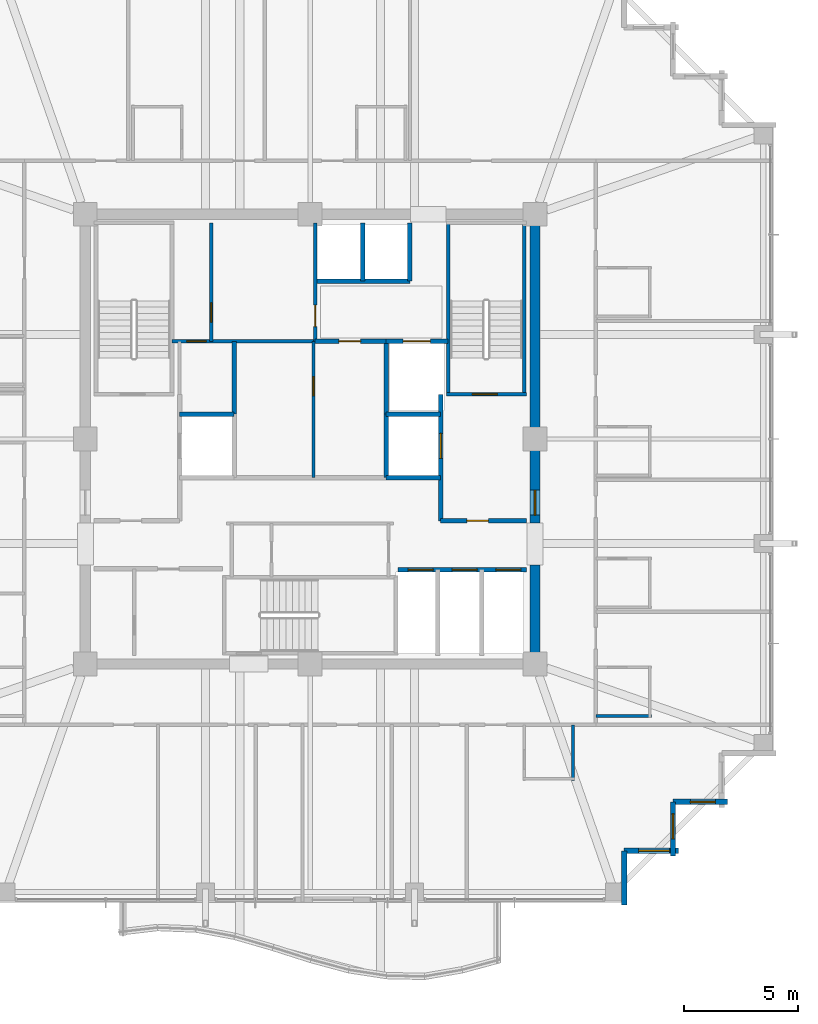
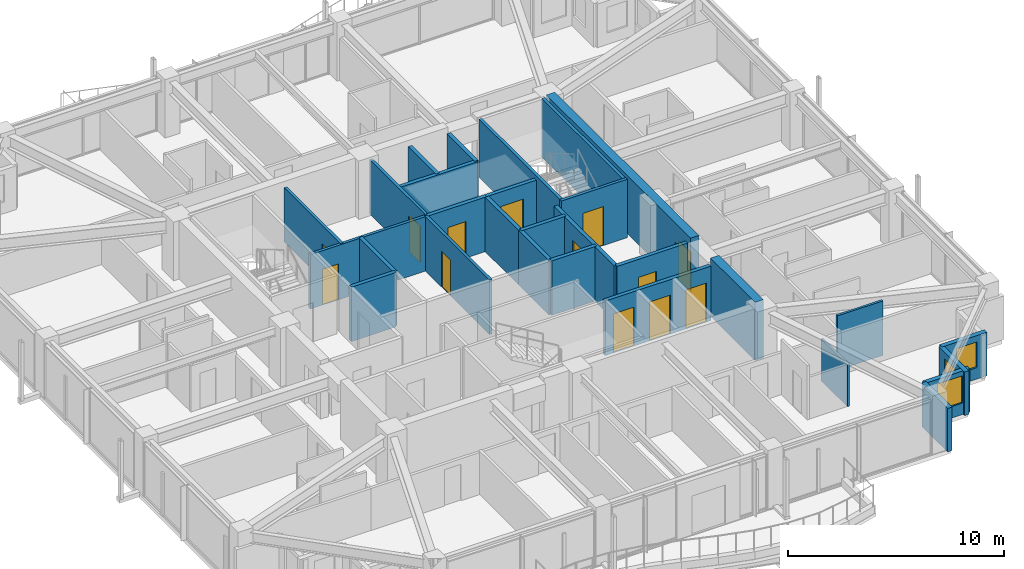
# One storey, part 33 of 38: 29 walls, 13 doors, 3 windows, 16 openings.
"""IFC4 building model written with IfcOpenShell, lengths in metres."""

from ifc_helpers import new_model, si_unit, direction, frame, frame_2d, origin, place, context, subcontext, project, spatial, rectangle, extrude, material, layer, layer_set, type_object, element, fill, save


model = new_model("IFC4")

# Units and contexts
model_context = context("Model", 3, precision=1e-05, world=origin(), true_north=direction((0.0, 1.0)))
body_context = subcontext(model_context, "Body", "Model", "MODEL_VIEW")
ifc_project = project(units=[si_unit("LENGTHUNIT", "METRE"), si_unit("AREAUNIT", "SQUARE_METRE"), si_unit("VOLUMEUNIT", "CUBIC_METRE"), si_unit("PLANEANGLEUNIT", "RADIAN"), si_unit("MASSUNIT", "GRAM", prefix="KILO")], contexts=[model_context])

# Site, building, storey
site_placement = place(None, origin())
site = spatial("IfcSite", under=ifc_project, at=site_placement, CompositionType="ELEMENT")
building_placement = place(site_placement, origin())
building = spatial("IfcBuilding", under=site, at=building_placement, Name="Kolvaren Belvedere", CompositionType="ELEMENT")
storey_placement = place(building_placement, frame((0.0, 0.0, 213.0)))
storey = spatial("IfcBuildingStorey", under=building, at=storey_placement, Name="L62", CompositionType="ELEMENT", Elevation=213.0)

# Wall
ifc_material_1 = material(Name="Concrete C50/60", Category="concrete")
ifc_layer_1 = layer(ifc_material_1, 0.449951171875)
ifc_layer_set_1 = layer_set([ifc_layer_1], Name="Concrete C50/60")
wall_type_1 = type_object("IfcWallType", Name="CW-CORE-450", PredefinedType="SHEAR", material=ifc_layer_set_1)
wall_1_placement = place(storey_placement, frame((9.89990234375, -9.675048828125, 0.0), z_axis=(0.0, 0.0, 1.0), x_axis=(0.0, 1.0, 0.0)))
element("IfcWall", 1, at=wall_1_placement, inside=storey, type_object=wall_type_1, Name="L62 East Core Shear Wall 1", PredefinedType="SHEAR", context=body_context, shape_type="SweptSolid", body=[
    extrude(rectangle(XDim=4.125, YDim=0.449951171875, at=frame_2d((2.0625, 0.0))), origin(), (0.0, 0.0, 1.0), 3.300048828125),
])

# Wall, opening, door
wall_2_placement = place(storey_placement, frame((9.89990234375, -3.699951171875, 0.0), z_axis=(0.0, 0.0, 1.0), x_axis=(0.0, 1.0, 0.0)))
wall_2 = element("IfcWall", 2, at=wall_2_placement, inside=storey, type_object=wall_type_1, Name="L62 East Core Shear Wall 2", PredefinedType="SHEAR", context=body_context, shape_type="SweptSolid", body=[
    extrude(rectangle(XDim=13.375, YDim=0.449951171875, at=frame_2d((6.6875, 0.0))), origin(), (0.0, 0.0, 1.0), 3.300048828125),
])
opening_1_placement = place(wall_2_placement, frame((0.35009765625, 0.0, 0.0)))
opening_1 = element("IfcOpeningElement", 3, at=opening_1_placement, cuts=wall_2, Name="Opening D-FD90", PredefinedType="OPENING", context=body_context, shape_type="SweptSolid", body=[
    extrude(rectangle(XDim=1.10009765625, YDim=2.199951171875, at=frame_2d((0.550048828125, 1.10009765625))), frame((0.0, 0.23486328125, 0.0), z_axis=(0.0, -1.0, 0.0), x_axis=(1.0, 0.0, 0.0)), (0.0, 0.0, 1.0), 0.469970703125),
])
ifc_material_2 = material(Name="Painted hollow stainless steel", Category="steel")
door_type_1 = type_object("IfcDoorType", Name="DR-FD90-1100", OperationType="NOTDEFINED", PredefinedType="DOOR", material=ifc_material_2)
door_1_placement = place(opening_1_placement, origin())
door_1 = element("IfcDoor", 4, at=door_1_placement, inside=storey, type_object=door_type_1, Name="L62 East Firefighting Lobby Fire Door", OperationType="SINGLE_SWING_RIGHT", OverallHeight=2.199951171875, OverallWidth=1.10009765625, PredefinedType="DOOR", context=body_context, shape_type="SweptSolid", body=[
    extrude(rectangle(XDim=1.10009765625, YDim=2.199951171875, at=frame_2d((0.550048828125, 1.10009765625))), frame((0.0, 0.02490234375, 0.0), z_axis=(0.0, -1.0, 0.0), x_axis=(1.0, 0.0, 0.0)), (0.0, 0.0, 1.0), 0.050048828125),
])
fill(opening_1, door_1)

ifc_material_3 = material(Name="Concrete C50/60", Category="concrete")
ifc_layer_2 = layer(ifc_material_3, 0.159912109375)
ifc_layer_set_2 = layer_set([ifc_layer_2], Name="Concrete C50/60")
wall_type_2 = type_object("IfcWallType", Name="CW-STAIR-160", PredefinedType="SHEAR", material=ifc_layer_set_2)
wall_3_placement = place(storey_placement, frame((6.0, 1.969970703125, 0.0), z_axis=(0.0, 0.0, 1.0), x_axis=(1.0, 0.0, 0.0)))
wall_3 = element("IfcWall", 5, at=wall_3_placement, inside=storey, type_object=wall_type_2, Name="L62 Stair ST-2 South Shear Wall", PredefinedType="SHEAR", context=body_context, shape_type="SweptSolid", body=[
    extrude(rectangle(XDim=3.52001953125, YDim=0.159912109375, at=frame_2d((1.760009765625, 0.0))), origin(), (0.0, 0.0, 1.0), 3.300048828125),
])
opening_2_placement = place(wall_3_placement, frame((1.14990234375, 0.0, 0.0)))
opening_2 = element("IfcOpeningElement", 6, at=opening_2_placement, cuts=wall_3, Name="Opening D-FD90", PredefinedType="OPENING", context=body_context, shape_type="SweptSolid", body=[
    extrude(rectangle(XDim=1.10009765625, YDim=2.199951171875, at=frame_2d((0.550048828125, 1.10009765625))), frame((0.0, 0.08984375, 0.0), z_axis=(0.0, -1.0, 0.0), x_axis=(1.0, 0.0, 0.0)), (0.0, 0.0, 1.0), 0.179931640625),
])
door_2_placement = place(opening_2_placement, origin())
door_2 = element("IfcDoor", 7, at=door_2_placement, inside=storey, type_object=door_type_1, Name="L62 Stair ST-2 Fire Door", OperationType="SINGLE_SWING_RIGHT", OverallHeight=2.199951171875, OverallWidth=1.10009765625, PredefinedType="DOOR", context=body_context, shape_type="SweptSolid", body=[
    extrude(rectangle(XDim=1.10009765625, YDim=2.199951171875, at=frame_2d((0.550048828125, 1.10009765625))), frame((0.0, 0.02490234375, 0.0), z_axis=(0.0, -1.0, 0.0), x_axis=(1.0, 0.0, 0.0)), (0.0, 0.0, 1.0), 0.050048828125),
])
fill(opening_2, door_2)

# Walls
for number, where, z_axis, x_axis, name in (
    (8, (6.080078125, 1.969970703125, 0.0), (0.0, 0.0, 1.0), (0.0, 1.0, 0.0), "L62 Stair ST-2 West Shear Wall"),
    (9, (9.429931640625, 1.969970703125, 0.0), (0.0, 0.0, 1.0), (0.0, 1.0, 0.0), "L62 Stair ST-2 East Shear Wall"),
):
    element("IfcWall", number, at=place(storey_placement, frame(where, z_axis=z_axis, x_axis=x_axis)), inside=storey, type_object=wall_type_2, Name=name, PredefinedType="SHEAR", context=body_context, shape_type="SweptSolid", body=[
        extrude(rectangle(XDim=7.56005859375, YDim=0.159912109375, at=frame_2d((3.780029296875, 0.0))), origin(), (0.0, 0.0, 1.0), 3.300048828125),
    ])
ifc_material_4 = material(Name="Insulated pale-metal facade wall assembly", Category="aluminium")
ifc_layer_3 = layer(ifc_material_4, 0.239990234375)
ifc_layer_set_3 = layer_set([ifc_layer_3], Name="Insulated pale-metal facade wall assembly")
wall_type_3 = type_object("IfcWallType", Name="WL-EXT-240", PredefinedType="STANDARD", material=ifc_layer_set_3)
wall_4_placement = place(storey_placement, frame((13.830078125, -18.1298828125, 0.0), z_axis=(0.0, 0.0, 1.0), x_axis=(0.0, -1.0, 0.0)))
element("IfcWall", 10, at=wall_4_placement, inside=storey, type_object=wall_type_3, Name="L62 Serrated Corner Facade Wall 2", PredefinedType="STANDARD", context=body_context, shape_type="SweptSolid", body=[
    extrude(rectangle(XDim=2.39013671875, YDim=0.239990234375, at=frame_2d((1.195068359375, 0.0))), origin(), (0.0, 0.0, 1.0), 2.462890625),
])

# Wall, opening, window
wall_5_placement = place(storey_placement, frame((16.219970703125, -18.1298828125, 0.0), z_axis=(0.0, 0.0, 1.0), x_axis=(-1.0, 0.0, 0.0)))
wall_5 = element("IfcWall", 11, at=wall_5_placement, inside=storey, type_object=wall_type_3, Name="L62 Serrated Corner Facade Wall 3", PredefinedType="STANDARD", context=body_context, shape_type="SweptSolid", body=[
    extrude(rectangle(XDim=2.389892578125, YDim=0.239990234375, at=frame_2d((1.19482421875, 0.0))), origin(), (0.0, 0.0, 1.0), 2.462890625),
])
opening_3_placement = place(wall_5_placement, frame((0.39990234375, 0.0, 0.64990234375)))
opening_3 = element("IfcOpeningElement", 12, at=opening_3_placement, cuts=wall_5, Name="Opening W-1350", PredefinedType="OPENING", context=body_context, shape_type="SweptSolid", body=[
    extrude(rectangle(XDim=1.35009765625, YDim=1.550048828125, at=frame_2d((0.675048828125, 0.77490234375))), frame((0.0, 0.1298828125, 0.0), z_axis=(0.0, -1.0, 0.0), x_axis=(1.0, 0.0, 0.0)), (0.0, 0.0, 1.0), 0.260009765625),
])
ifc_material_5 = material(Name="Low-iron triple insulated glass", Category="glass")
window_type_1 = type_object("IfcWindowType", Name="WN-CORN-1350", PartitioningType="SINGLE_PANEL", PredefinedType="WINDOW", material=ifc_material_5)
window_1_placement = place(opening_3_placement, origin())
window_1 = element("IfcWindow", 13, at=window_1_placement, inside=storey, type_object=window_type_1, Name="L62 Serrated Corner Vision Window 3", OverallHeight=1.550048828125, OverallWidth=1.35009765625, PartitioningType="SINGLE_PANEL", PredefinedType="WINDOW", context=body_context, shape_type="SweptSolid", body=[
    extrude(rectangle(XDim=1.35009765625, YDim=1.550048828125, at=frame_2d((0.675048828125, 0.77490234375))), frame((0.0, 0.030029296875, 0.0), z_axis=(0.0, -1.0, 0.0), x_axis=(1.0, 0.0, 0.0)), (0.0, 0.0, 1.0), 0.06005859375),
])
fill(opening_3, window_1)

wall_6_placement = place(storey_placement, frame((15.97998046875, -15.97998046875, 0.0), z_axis=(0.0, 0.0, 1.0), x_axis=(0.0, -1.0, 0.0)))
wall_6 = element("IfcWall", 14, at=wall_6_placement, inside=storey, type_object=wall_type_3, Name="L62 Serrated Corner Facade Wall 4", PredefinedType="STANDARD", context=body_context, shape_type="SweptSolid", body=[
    extrude(rectangle(XDim=2.39013671875, YDim=0.239990234375, at=frame_2d((1.195068359375, 0.0))), origin(), (0.0, 0.0, 1.0), 2.462890625),
])
opening_4_placement = place(wall_6_placement, frame((0.52490234375, 0.0, 0.64990234375)))
opening_4 = element("IfcOpeningElement", 15, at=opening_4_placement, cuts=wall_6, Name="Opening W-1100", PredefinedType="OPENING", context=body_context, shape_type="SweptSolid", body=[
    extrude(rectangle(XDim=1.10009765625, YDim=1.449951171875, at=frame_2d((0.550048828125, 0.72509765625))), frame((0.0, 0.1298828125, 0.0), z_axis=(0.0, -1.0, 0.0), x_axis=(1.0, 0.0, 0.0)), (0.0, 0.0, 1.0), 0.260009765625),
])
ifc_material_6 = material(Name="Low-iron triple insulated glass", Category="glass")
window_type_2 = type_object("IfcWindowType", Name="WN-CORN-1100", PartitioningType="SINGLE_PANEL", PredefinedType="WINDOW", material=ifc_material_6)
window_2_placement = place(opening_4_placement, origin())
window_2 = element("IfcWindow", 16, at=window_2_placement, inside=storey, type_object=window_type_2, Name="L62 Serrated Corner Vision Window 4", OverallHeight=1.449951171875, OverallWidth=1.10009765625, PartitioningType="SINGLE_PANEL", PredefinedType="WINDOW", context=body_context, shape_type="SweptSolid", body=[
    extrude(rectangle(XDim=1.10009765625, YDim=1.449951171875, at=frame_2d((0.550048828125, 0.72509765625))), frame((0.0, 0.030029296875, 0.0), z_axis=(0.0, -1.0, 0.0), x_axis=(1.0, 0.0, 0.0)), (0.0, 0.0, 1.0), 0.06005859375),
])
fill(opening_4, window_2)

wall_7_placement = place(storey_placement, frame((18.3701171875, -15.97998046875, 0.0), z_axis=(0.0, 0.0, 1.0), x_axis=(-1.0, 0.0, 0.0)))
wall_7 = element("IfcWall", 17, at=wall_7_placement, inside=storey, type_object=wall_type_3, Name="L62 Serrated Corner Facade Wall 5", PredefinedType="STANDARD", context=body_context, shape_type="SweptSolid", body=[
    extrude(rectangle(XDim=2.39013671875, YDim=0.239990234375, at=frame_2d((1.195068359375, 0.0))), origin(), (0.0, 0.0, 1.0), 2.462890625),
])
opening_5_placement = place(wall_7_placement, frame((0.52490234375, 0.0, 0.64990234375)))
opening_5 = element("IfcOpeningElement", 18, at=opening_5_placement, cuts=wall_7, Name="Opening W-1100", PredefinedType="OPENING", context=body_context, shape_type="SweptSolid", body=[
    extrude(rectangle(XDim=1.10009765625, YDim=1.449951171875, at=frame_2d((0.550048828125, 0.72509765625))), frame((0.0, 0.1298828125, 0.0), z_axis=(0.0, -1.0, 0.0), x_axis=(1.0, 0.0, 0.0)), (0.0, 0.0, 1.0), 0.260009765625),
])
window_3_placement = place(opening_5_placement, origin())
window_3 = element("IfcWindow", 19, at=window_3_placement, inside=storey, type_object=window_type_2, Name="L62 Serrated Corner Vision Window 5", OverallHeight=1.449951171875, OverallWidth=1.10009765625, PartitioningType="SINGLE_PANEL", PredefinedType="WINDOW", context=body_context, shape_type="SweptSolid", body=[
    extrude(rectangle(XDim=1.10009765625, YDim=1.449951171875, at=frame_2d((0.550048828125, 0.72509765625))), frame((0.0, 0.030029296875, 0.0), z_axis=(0.0, -1.0, 0.0), x_axis=(1.0, 0.0, 0.0)), (0.0, 0.0, 1.0), 0.06005859375),
])
fill(opening_5, window_3)

# Wall, opening, door
ifc_material_7 = material(Name="Gypsum acoustic partition assembly", Category="gypsum")
ifc_layer_4 = layer(ifc_material_7, 0.14990234375)
ifc_layer_set_4 = layer_set([ifc_layer_4], Name="Gypsum acoustic partition assembly")
wall_type_4 = type_object("IfcWallType", Name="WL-PART-150", PredefinedType="PARTITIONING", material=ifc_layer_set_4)
wall_8_placement = place(storey_placement, frame((-6.080078125, 4.300048828125, 0.0), z_axis=(0.0, 0.0, 1.0), x_axis=(1.0, 0.0, 0.0)))
wall_8 = element("IfcWall", 20, at=wall_8_placement, inside=storey, type_object=wall_type_4, Name="L62 Reclaimed Salon South Wall", PredefinedType="PARTITIONING", context=body_context, shape_type="SweptSolid", body=[
    extrude(rectangle(XDim=6.300048828125, YDim=0.14990234375, at=frame_2d((3.14990234375, 0.0))), origin(), (0.0, 0.0, 1.0), 3.080078125),
])
opening_6_placement = place(wall_8_placement, frame((0.64990234375, 0.0, 0.0)))
opening_6 = element("IfcOpeningElement", 21, at=opening_6_placement, cuts=wall_8, Name="Opening D-INT85", PredefinedType="OPENING", context=body_context, shape_type="SweptSolid", body=[
    extrude(rectangle(XDim=0.85009765625, YDim=2.030029296875, at=frame_2d((0.425048828125, 1.01513671875))), frame((0.0, 0.0849609375, 0.0), z_axis=(0.0, -1.0, 0.0), x_axis=(1.0, 0.0, 0.0)), (0.0, 0.0, 1.0), 0.169921875),
])
ifc_material_8 = material(Name="Stained Pacific white oak", Category="timber")
door_type_2 = type_object("IfcDoorType", Name="DR-INT-850", OperationType="NOTDEFINED", PredefinedType="DOOR", material=ifc_material_8)
door_3_placement = place(opening_6_placement, origin())
door_3 = element("IfcDoor", 22, at=door_3_placement, inside=storey, type_object=door_type_2, Name="L62 NW Core Store Door", OperationType="SINGLE_SWING_RIGHT", OverallHeight=2.030029296875, OverallWidth=0.85009765625, PredefinedType="DOOR", context=body_context, shape_type="SweptSolid", body=[
    extrude(rectangle(XDim=0.85009765625, YDim=2.030029296875, at=frame_2d((0.425048828125, 1.01513671875))), frame((0.0, 0.02490234375, 0.0), z_axis=(0.0, -1.0, 0.0), x_axis=(1.0, 0.0, 0.0)), (0.0, 0.0, 1.0), 0.050048828125),
])
fill(opening_6, door_3)

wall_9_placement = place(storey_placement, frame((0.219970703125, 4.300048828125, 0.0), z_axis=(0.0, 0.0, 1.0), x_axis=(0.0, 1.0, 0.0)))
wall_9 = element("IfcWall", 23, at=wall_9_placement, inside=storey, type_object=wall_type_4, Name="L62 Reclaimed Salon East Wall", PredefinedType="PARTITIONING", context=body_context, shape_type="SweptSolid", body=[
    extrude(rectangle(XDim=5.219970703125, YDim=0.14990234375, at=frame_2d((2.60986328125, 0.0))), origin(), (0.0, 0.0, 1.0), 3.080078125),
])
opening_7_placement = place(wall_9_placement, frame((0.64990234375, 0.0, 0.0)))
opening_7 = element("IfcOpeningElement", 24, at=opening_7_placement, cuts=wall_9, Name="Opening D-INT95", PredefinedType="OPENING", context=body_context, shape_type="SweptSolid", body=[
    extrude(rectangle(XDim=0.949951171875, YDim=2.06005859375, at=frame_2d((0.47509765625, 1.030029296875))), frame((0.0, 0.0849609375, 0.0), z_axis=(0.0, -1.0, 0.0), x_axis=(1.0, 0.0, 0.0)), (0.0, 0.0, 1.0), 0.169921875),
])
ifc_material_9 = material(Name="Stained Pacific white oak", Category="timber")
door_type_3 = type_object("IfcDoorType", Name="DR-INT-950", OperationType="NOTDEFINED", PredefinedType="DOOR", material=ifc_material_9)
door_4_placement = place(opening_7_placement, origin())
door_4 = element("IfcDoor", 25, at=door_4_placement, inside=storey, type_object=door_type_3, Name="L62 Art Salon Door", OperationType="SINGLE_SWING_LEFT", OverallHeight=2.06005859375, OverallWidth=0.949951171875, PredefinedType="DOOR", context=body_context, shape_type="SweptSolid", body=[
    extrude(rectangle(XDim=0.949951171875, YDim=2.06005859375, at=frame_2d((0.47509765625, 1.030029296875))), frame((0.0, 0.02490234375, 0.0), z_axis=(0.0, -1.0, 0.0), x_axis=(1.0, 0.0, 0.0)), (0.0, 0.0, 1.0), 0.050048828125),
])
fill(opening_7, door_4)

wall_10_placement = place(storey_placement, frame((-4.35009765625, 4.300048828125, 0.0), z_axis=(0.0, 0.0, 1.0), x_axis=(0.0, 1.0, 0.0)))
wall_10 = element("IfcWall", 26, at=wall_10_placement, inside=storey, type_object=wall_type_4, Name="L62 Reclaimed Archive Divider", PredefinedType="PARTITIONING", context=body_context, shape_type="SweptSolid", body=[
    extrude(rectangle(XDim=5.219970703125, YDim=0.14990234375, at=frame_2d((2.60986328125, 0.0))), origin(), (0.0, 0.0, 1.0), 3.080078125),
])
opening_8_placement = place(wall_10_placement, frame((0.85009765625, 0.0, 0.0)))
opening_8 = element("IfcOpeningElement", 27, at=opening_8_placement, cuts=wall_10, Name="Opening D-INT85", PredefinedType="OPENING", context=body_context, shape_type="SweptSolid", body=[
    extrude(rectangle(XDim=0.85009765625, YDim=2.030029296875, at=frame_2d((0.425048828125, 1.01513671875))), frame((0.0, 0.0849609375, 0.0), z_axis=(0.0, -1.0, 0.0), x_axis=(1.0, 0.0, 0.0)), (0.0, 0.0, 1.0), 0.169921875),
])
door_5_placement = place(opening_8_placement, origin())
door_5 = element("IfcDoor", 28, at=door_5_placement, inside=storey, type_object=door_type_2, Name="L62 Archive Store Door", OperationType="SINGLE_SWING_RIGHT", OverallHeight=2.030029296875, OverallWidth=0.85009765625, PredefinedType="DOOR", context=body_context, shape_type="SweptSolid", body=[
    extrude(rectangle(XDim=0.85009765625, YDim=2.030029296875, at=frame_2d((0.425048828125, 1.01513671875))), frame((0.0, 0.02490234375, 0.0), z_axis=(0.0, -1.0, 0.0), x_axis=(1.0, 0.0, 0.0)), (0.0, 0.0, 1.0), 0.050048828125),
])
fill(opening_8, door_5)

wall_11_placement = place(storey_placement, frame((0.14990234375, -1.699951171875, 0.0), z_axis=(0.0, 0.0, 1.0), x_axis=(0.0, 1.0, 0.0)))
wall_11 = element("IfcWall", 29, at=wall_11_placement, inside=storey, type_object=wall_type_4, Name="L62 Central Core V-Divider", PredefinedType="PARTITIONING", context=body_context, shape_type="SweptSolid", body=[
    extrude(rectangle(XDim=6.0, YDim=0.14990234375, at=frame_2d((3.0, 0.0))), origin(), (0.0, 0.0, 1.0), 3.080078125),
])
opening_9_placement = place(wall_11_placement, frame((3.60009765625, 0.0, 0.0)))
opening_9 = element("IfcOpeningElement", 30, at=opening_9_placement, cuts=wall_11, Name="Opening D-INT85", PredefinedType="OPENING", context=body_context, shape_type="SweptSolid", body=[
    extrude(rectangle(XDim=0.85009765625, YDim=2.030029296875, at=frame_2d((0.425048828125, 1.01513671875))), frame((0.0, 0.0849609375, 0.0), z_axis=(0.0, -1.0, 0.0), x_axis=(1.0, 0.0, 0.0)), (0.0, 0.0, 1.0), 0.169921875),
])
door_6_placement = place(opening_9_placement, origin())
door_6 = element("IfcDoor", 31, at=door_6_placement, inside=storey, type_object=door_type_2, Name="L62 Central Linen Door", OperationType="SINGLE_SWING_RIGHT", OverallHeight=2.030029296875, OverallWidth=0.85009765625, PredefinedType="DOOR", context=body_context, shape_type="SweptSolid", body=[
    extrude(rectangle(XDim=0.85009765625, YDim=2.030029296875, at=frame_2d((0.425048828125, 1.01513671875))), frame((0.0, 0.02490234375, 0.0), z_axis=(0.0, -1.0, 0.0), x_axis=(1.0, 0.0, 0.0)), (0.0, 0.0, 1.0), 0.050048828125),
])
fill(opening_9, door_6)

# Wall
ifc_material_10 = material(Name="Concrete C50/60", Category="concrete")
ifc_layer_5 = layer(ifc_material_10, 0.199951171875)
ifc_layer_set_5 = layer_set([ifc_layer_5], Name="Concrete C50/60")
wall_type_5 = type_object("IfcWallType", Name="WL-SHAFT-200", PredefinedType="SOLIDWALL", material=ifc_layer_set_5)
wall_12_placement = place(storey_placement, frame((-5.75, 1.10009765625, 0.0), z_axis=(0.0, 0.0, 1.0), x_axis=(1.0, 0.0, 0.0)))
element("IfcWall", 32, at=wall_12_placement, inside=storey, type_object=wall_type_5, Name="L62 FSAE FS1 North Wall", PredefinedType="SOLIDWALL", context=body_context, shape_type="SweptSolid", body=[
    extrude(rectangle(XDim=2.39990234375, YDim=0.199951171875, at=frame_2d((1.199951171875, 0.0))), origin(), (0.0, 0.0, 1.0), 3.080078125),
])

# Wall, opening, door
wall_13_placement = place(storey_placement, frame((5.75, -3.60009765625, 0.0), z_axis=(0.0, 0.0, 1.0), x_axis=(1.0, 0.0, 0.0)))
wall_13 = element("IfcWall", 33, at=wall_13_placement, inside=storey, type_object=wall_type_5, Name="L62 East FSAE Lobby South Wall", PredefinedType="SOLIDWALL", context=body_context, shape_type="SweptSolid", body=[
    extrude(rectangle(XDim=3.77001953125, YDim=0.199951171875, at=frame_2d((1.885009765625, 0.0))), origin(), (0.0, 0.0, 1.0), 3.080078125),
])
opening_10_placement = place(wall_13_placement, frame((1.14990234375, 0.0, 0.0)))
opening_10 = element("IfcOpeningElement", 34, at=opening_10_placement, cuts=wall_13, Name="Opening D-FD60", PredefinedType="OPENING", context=body_context, shape_type="SweptSolid", body=[
    extrude(rectangle(XDim=0.949951171875, YDim=2.06005859375, at=frame_2d((0.47509765625, 1.030029296875))), frame((0.0, 0.10986328125, 0.0), z_axis=(0.0, -1.0, 0.0), x_axis=(1.0, 0.0, 0.0)), (0.0, 0.0, 1.0), 0.219970703125),
])
ifc_material_11 = material(Name="Acoustic white-oak fire door leaf", Category="timber")
door_type_4 = type_object("IfcDoorType", Name="DR-FD60-950", OperationType="NOTDEFINED", PredefinedType="DOOR", material=ifc_material_11)
door_7_placement = place(opening_10_placement, origin())
door_7 = element("IfcDoor", 35, at=door_7_placement, inside=storey, type_object=door_type_4, Name="L62 SE Lift Lobby Fire Door", OperationType="SINGLE_SWING_RIGHT", OverallHeight=2.06005859375, OverallWidth=0.949951171875, PredefinedType="DOOR", context=body_context, shape_type="SweptSolid", body=[
    extrude(rectangle(XDim=0.949951171875, YDim=2.06005859375, at=frame_2d((0.47509765625, 1.030029296875))), frame((0.0, 0.02490234375, 0.0), z_axis=(0.0, -1.0, 0.0), x_axis=(1.0, 0.0, 0.0)), (0.0, 0.0, 1.0), 0.050048828125),
])
fill(opening_10, door_7)

wall_14_placement = place(storey_placement, frame((5.75, -3.60009765625, 0.0), z_axis=(0.0, 0.0, 1.0), x_axis=(0.0, 1.0, 0.0)))
wall_14 = element("IfcWall", 36, at=wall_14_placement, inside=storey, type_object=wall_type_5, Name="L62 FSAE FS2 Landing Wall", PredefinedType="SOLIDWALL", context=body_context, shape_type="SweptSolid", body=[
    extrude(rectangle(XDim=5.570068359375, YDim=0.199951171875, at=frame_2d((2.78515625, 0.0))), origin(), (0.0, 0.0, 1.0), 3.080078125),
])
opening_11_placement = place(wall_14_placement, frame((2.75, 0.0, 0.0)))
opening_11 = element("IfcOpeningElement", 37, at=opening_11_placement, cuts=wall_14, Name="Opening LD-11", PredefinedType="OPENING", context=body_context, shape_type="SweptSolid", body=[
    extrude(rectangle(XDim=1.10009765625, YDim=2.199951171875, at=frame_2d((0.550048828125, 1.10009765625))), frame((0.0, 0.10986328125, 0.0), z_axis=(0.0, -1.0, 0.0), x_axis=(1.0, 0.0, 0.0)), (0.0, 0.0, 1.0), 0.219970703125),
])
ifc_material_12 = material(Name="Brushed stainless steel", Category="steel")
door_type_5 = type_object("IfcDoorType", Name="DR-LIFT-1100", OperationType="DOUBLE_DOOR_SLIDING", PredefinedType="DOOR", material=ifc_material_12)
door_8_placement = place(opening_11_placement, origin())
door_8 = element("IfcDoor", 38, at=door_8_placement, inside=storey, type_object=door_type_5, Name="L62 Firefighting Lift FS2 Landing Door", OperationType="DOUBLE_DOOR_SLIDING", OverallHeight=2.199951171875, OverallWidth=1.10009765625, PredefinedType="DOOR", context=body_context, shape_type="SweptSolid", body=[
    extrude(rectangle(XDim=1.10009765625, YDim=2.199951171875, at=frame_2d((0.550048828125, 1.10009765625))), frame((0.0, 0.02490234375, 0.0), z_axis=(0.0, -1.0, 0.0), x_axis=(1.0, 0.0, 0.0)), (0.0, 0.0, 1.0), 0.050048828125),
])
fill(opening_11, door_8)

# Walls
wall_15_placement = place(storey_placement, frame((3.35009765625, -1.699951171875, 0.0), z_axis=(0.0, 0.0, 1.0), x_axis=(0.0, 1.0, 0.0)))
element("IfcWall", 39, at=wall_15_placement, inside=storey, type_object=wall_type_5, Name="L62 FSAE FS2 Back Wall", PredefinedType="SOLIDWALL", context=body_context, shape_type="SweptSolid", body=[
    extrude(rectangle(XDim=2.800048828125, YDim=0.199951171875, at=frame_2d((1.39990234375, 0.0))), origin(), (0.0, 0.0, 1.0), 3.080078125),
])
for number, where, z_axis, x_axis, name in (
    (40, (3.35009765625, -1.699951171875, 0.0), (0.0, 0.0, 1.0), (1.0, 0.0, 0.0), "L62 FSAE FS2 South Wall"),
    (41, (3.35009765625, 1.10009765625, 0.0), (0.0, 0.0, 1.0), (1.0, 0.0, 0.0), "L62 FSAE FS2 North Wall"),
):
    element("IfcWall", number, at=place(storey_placement, frame(where, z_axis=z_axis, x_axis=x_axis)), inside=storey, type_object=wall_type_5, Name=name, PredefinedType="SOLIDWALL", context=body_context, shape_type="SweptSolid", body=[
        extrude(rectangle(XDim=2.39990234375, YDim=0.199951171875, at=frame_2d((1.199951171875, 0.0))), origin(), (0.0, 0.0, 1.0), 3.080078125),
    ])

# Wall, opening, door
wall_16_placement = place(storey_placement, frame((3.35009765625, 4.300048828125, 0.0), z_axis=(0.0, 0.0, 1.0), x_axis=(1.0, 0.0, 0.0)))
wall_16 = element("IfcWall", 42, at=wall_16_placement, inside=storey, type_object=wall_type_5, Name="L62 Service Lift SV1 Front Wall", PredefinedType="SOLIDWALL", context=body_context, shape_type="SweptSolid", body=[
    extrude(rectangle(XDim=2.72998046875, YDim=0.199951171875, at=frame_2d((1.364990234375, 0.0))), origin(), (0.0, 0.0, 1.0), 3.080078125),
])
opening_12_placement = place(wall_16_placement, frame((0.75, 0.0, 0.0)))
opening_12 = element("IfcOpeningElement", 43, at=opening_12_placement, cuts=wall_16, Name="Opening LD-12", PredefinedType="OPENING", context=body_context, shape_type="SweptSolid", body=[
    extrude(rectangle(XDim=1.199951171875, YDim=2.25, at=frame_2d((0.60009765625, 1.125))), frame((0.0, 0.10986328125, 0.0), z_axis=(0.0, -1.0, 0.0), x_axis=(1.0, 0.0, 0.0)), (0.0, 0.0, 1.0), 0.219970703125),
])
ifc_material_13 = material(Name="Brushed stainless steel", Category="steel")
door_type_6 = type_object("IfcDoorType", Name="DR-LIFT-1200", OperationType="DOUBLE_DOOR_SLIDING", PredefinedType="DOOR", material=ifc_material_13)
door_9_placement = place(opening_12_placement, origin())
door_9 = element("IfcDoor", 44, at=door_9_placement, inside=storey, type_object=door_type_6, Name="L62 Service Lift SV1 Landing Door", OperationType="DOUBLE_DOOR_SLIDING", OverallHeight=2.25, OverallWidth=1.199951171875, PredefinedType="DOOR", context=body_context, shape_type="SweptSolid", body=[
    extrude(rectangle(XDim=1.199951171875, YDim=2.25, at=frame_2d((0.60009765625, 1.125))), frame((0.0, 0.02490234375, 0.0), z_axis=(0.0, -1.0, 0.0), x_axis=(1.0, 0.0, 0.0)), (0.0, 0.0, 1.0), 0.050048828125),
])
fill(opening_12, door_9)

# Walls
wall_17_placement = place(storey_placement, frame((0.219970703125, 6.949951171875, 0.0), z_axis=(0.0, 0.0, 1.0), x_axis=(1.0, 0.0, 0.0)))
element("IfcWall", 45, at=wall_17_placement, inside=storey, type_object=wall_type_5, Name="L62 Express Shuttle Hoistway Wall", PredefinedType="SOLIDWALL", context=body_context, shape_type="SweptSolid", body=[
    extrude(rectangle(XDim=4.179931640625, YDim=0.199951171875, at=frame_2d((2.08984375, 0.0))), origin(), (0.0, 0.0, 1.0), 3.080078125),
])
for number, where, z_axis, x_axis, name in (
    (46, (4.3798828125, 6.949951171875, 0.0), (0.0, 0.0, 1.0), (0.0, 1.0, 0.0), "L62 Express Shuttle East Wall"),
    (47, (2.31005859375, 6.949951171875, 0.0), (0.0, 0.0, 1.0), (0.0, 1.0, 0.0), "L62 Express Shuttle Divider"),
):
    element("IfcWall", number, at=place(storey_placement, frame(where, z_axis=z_axis, x_axis=x_axis)), inside=storey, type_object=wall_type_5, Name=name, PredefinedType="SOLIDWALL", context=body_context, shape_type="SweptSolid", body=[
        extrude(rectangle(XDim=2.570068359375, YDim=0.199951171875, at=frame_2d((1.28515625, 0.0))), origin(), (0.0, 0.0, 1.0), 3.080078125),
    ])

# Wall, openings, doors
wall_18_placement = place(storey_placement, frame((3.860107421875, -5.75, 0.0), z_axis=(0.0, 0.0, 1.0), x_axis=(1.0, 0.0, 0.0)))
wall_18 = element("IfcWall", 48, at=wall_18_placement, inside=storey, type_object=wall_type_5, Name="L62 High-Rise Lift Bank Front Wall", PredefinedType="SOLIDWALL", context=body_context, shape_type="SweptSolid", body=[
    extrude(rectangle(XDim=5.659912109375, YDim=0.199951171875, at=frame_2d((2.830078125, 0.0))), origin(), (0.0, 0.0, 1.0), 3.080078125),
])
opening_13_placement = place(wall_18_placement, frame((0.4599609375, 0.0, 0.0)))
opening_13 = element("IfcOpeningElement", 49, at=opening_13_placement, cuts=wall_18, Name="Opening LD-11", PredefinedType="OPENING", context=body_context, shape_type="SweptSolid", body=[
    extrude(rectangle(XDim=1.10009765625, YDim=2.199951171875, at=frame_2d((0.550048828125, 1.10009765625))), frame((0.0, 0.10986328125, 0.0), z_axis=(0.0, -1.0, 0.0), x_axis=(1.0, 0.0, 0.0)), (0.0, 0.0, 1.0), 0.219970703125),
])
opening_14_placement = place(wall_18_placement, frame((2.389892578125, 0.0, 0.0)))
opening_14 = element("IfcOpeningElement", 50, at=opening_14_placement, cuts=wall_18, Name="Opening LD-11", PredefinedType="OPENING", context=body_context, shape_type="SweptSolid", body=[
    extrude(rectangle(XDim=1.10009765625, YDim=2.199951171875, at=frame_2d((0.550048828125, 1.10009765625))), frame((0.0, 0.10986328125, 0.0), z_axis=(0.0, -1.0, 0.0), x_axis=(1.0, 0.0, 0.0)), (0.0, 0.0, 1.0), 0.219970703125),
])
opening_15_placement = place(wall_18_placement, frame((4.320068359375, 0.0, 0.0)))
opening_15 = element("IfcOpeningElement", 51, at=opening_15_placement, cuts=wall_18, Name="Opening LD-11", PredefinedType="OPENING", context=body_context, shape_type="SweptSolid", body=[
    extrude(rectangle(XDim=1.10009765625, YDim=2.199951171875, at=frame_2d((0.550048828125, 1.10009765625))), frame((0.0, 0.10986328125, 0.0), z_axis=(0.0, -1.0, 0.0), x_axis=(1.0, 0.0, 0.0)), (0.0, 0.0, 1.0), 0.219970703125),
])
door_10_placement = place(opening_13_placement, origin())
door_10 = element("IfcDoor", 52, at=door_10_placement, inside=storey, type_object=door_type_5, Name="L62 Passenger Lift P7 Landing Door", OperationType="DOUBLE_DOOR_SLIDING", OverallHeight=2.199951171875, OverallWidth=1.10009765625, PredefinedType="DOOR", context=body_context, shape_type="SweptSolid", body=[
    extrude(rectangle(XDim=1.10009765625, YDim=2.199951171875, at=frame_2d((0.550048828125, 1.10009765625))), frame((0.0, 0.02490234375, 0.0), z_axis=(0.0, -1.0, 0.0), x_axis=(1.0, 0.0, 0.0)), (0.0, 0.0, 1.0), 0.050048828125),
])
fill(opening_13, door_10)
door_11_placement = place(opening_14_placement, origin())
door_11 = element("IfcDoor", 53, at=door_11_placement, inside=storey, type_object=door_type_5, Name="L62 Passenger Lift P8 Landing Door", OperationType="DOUBLE_DOOR_SLIDING", OverallHeight=2.199951171875, OverallWidth=1.10009765625, PredefinedType="DOOR", context=body_context, shape_type="SweptSolid", body=[
    extrude(rectangle(XDim=1.10009765625, YDim=2.199951171875, at=frame_2d((0.550048828125, 1.10009765625))), frame((0.0, 0.02490234375, 0.0), z_axis=(0.0, -1.0, 0.0), x_axis=(1.0, 0.0, 0.0)), (0.0, 0.0, 1.0), 0.050048828125),
])
fill(opening_14, door_11)
door_12_placement = place(opening_15_placement, origin())
door_12 = element("IfcDoor", 54, at=door_12_placement, inside=storey, type_object=door_type_5, Name="L62 Passenger Lift P9 Landing Door", OperationType="DOUBLE_DOOR_SLIDING", OverallHeight=2.199951171875, OverallWidth=1.10009765625, PredefinedType="DOOR", context=body_context, shape_type="SweptSolid", body=[
    extrude(rectangle(XDim=1.10009765625, YDim=2.199951171875, at=frame_2d((0.550048828125, 1.10009765625))), frame((0.0, 0.02490234375, 0.0), z_axis=(0.0, -1.0, 0.0), x_axis=(1.0, 0.0, 0.0)), (0.0, 0.0, 1.0), 0.050048828125),
])
fill(opening_15, door_12)

# Wall, opening, door
wall_19_placement = place(storey_placement, frame((0.219970703125, 4.300048828125, 0.0), z_axis=(0.0, 0.0, 1.0), x_axis=(1.0, 0.0, 0.0)))
wall_19 = element("IfcWall", 55, at=wall_19_placement, inside=storey, type_object=wall_type_5, Name="L62 Central Core Room North Wall", PredefinedType="SOLIDWALL", context=body_context, shape_type="SweptSolid", body=[
    extrude(rectangle(XDim=3.130126953125, YDim=0.199951171875, at=frame_2d((1.56494140625, 0.0))), origin(), (0.0, 0.0, 1.0), 3.080078125),
])
opening_16_placement = place(wall_19_placement, frame((1.050048828125, 0.0, 0.0)))
opening_16 = element("IfcOpeningElement", 56, at=opening_16_placement, cuts=wall_19, Name="Opening D-FD60", PredefinedType="OPENING", context=body_context, shape_type="SweptSolid", body=[
    extrude(rectangle(XDim=0.949951171875, YDim=2.06005859375, at=frame_2d((0.47509765625, 1.030029296875))), frame((0.0, 0.10986328125, 0.0), z_axis=(0.0, -1.0, 0.0), x_axis=(1.0, 0.0, 0.0)), (0.0, 0.0, 1.0), 0.219970703125),
])
door_13_placement = place(opening_16_placement, origin())
door_13 = element("IfcDoor", 57, at=door_13_placement, inside=storey, type_object=door_type_4, Name="L62 Central Core Controls Door", OperationType="SINGLE_SWING_LEFT", OverallHeight=2.06005859375, OverallWidth=0.949951171875, PredefinedType="DOOR", context=body_context, shape_type="SweptSolid", body=[
    extrude(rectangle(XDim=0.949951171875, YDim=2.06005859375, at=frame_2d((0.47509765625, 1.030029296875))), frame((0.0, 0.02490234375, 0.0), z_axis=(0.0, -1.0, 0.0), x_axis=(1.0, 0.0, 0.0)), (0.0, 0.0, 1.0), 0.050048828125),
])
fill(opening_16, door_13)

# Walls
for number, where, z_axis, x_axis, name in (
    (58, (-3.35009765625, 1.10009765625, 0.0), (0.0, 0.0, 1.0), (0.0, 1.0, 0.0), "L62 Central Core Room West Wall"),
    (59, (3.35009765625, 1.10009765625, 0.0), (0.0, 0.0, 1.0), (0.0, 1.0, 0.0), "L62 Central Core Room East Wall"),
):
    element("IfcWall", number, at=place(storey_placement, frame(where, z_axis=z_axis, x_axis=x_axis)), inside=storey, type_object=wall_type_5, Name=name, PredefinedType="SOLIDWALL", context=body_context, shape_type="SweptSolid", body=[
        extrude(rectangle(XDim=3.199951171875, YDim=0.199951171875, at=frame_2d((1.60009765625, 0.0))), origin(), (0.0, 0.0, 1.0), 3.080078125),
    ])
ifc_material_14 = material(Name="Moisture-resistant gypsum partition", Category="gypsum")
ifc_layer_6 = layer(ifc_material_14, 0.125)
ifc_layer_set_6 = layer_set([ifc_layer_6], Name="Moisture-resistant gypsum partition")
wall_type_6 = type_object("IfcWallType", Name="WL-WET-125", PredefinedType="PARTITIONING", material=ifc_layer_set_6)
wall_20_placement = place(storey_placement, frame((11.5791015625, -15.034912109375, 0.0), z_axis=(0.0, 0.0, 1.0), x_axis=(0.0, 1.0, 0.0)))
element("IfcWall", 60, at=wall_20_placement, inside=storey, type_object=wall_type_6, Name="L62 Bathroom Partition PW-L62-BTH-4-W", PredefinedType="PARTITIONING", context=body_context, shape_type="SweptSolid", body=[
    extrude(rectangle(XDim=2.43994140625, YDim=0.125, at=frame_2d((1.219970703125, 0.0))), origin(), (0.0, 0.0, 1.0), 2.368896484375),
])
wall_21_placement = place(storey_placement, frame((12.594970703125, -12.200927734375, 0.0), z_axis=(0.0, 0.0, 1.0), x_axis=(1.0, 0.0, 0.0)))
element("IfcWall", 61, at=wall_21_placement, inside=storey, type_object=wall_type_6, Name="L62 Bathroom Partition PW-L62-BTH-5-S", PredefinedType="PARTITIONING", context=body_context, shape_type="SweptSolid", body=[
    extrude(rectangle(XDim=2.43994140625, YDim=0.125, at=frame_2d((1.219970703125, 0.0))), origin(), (0.0, 0.0, 1.0), 3.080078125),
])

save(model, "model.ifc")
